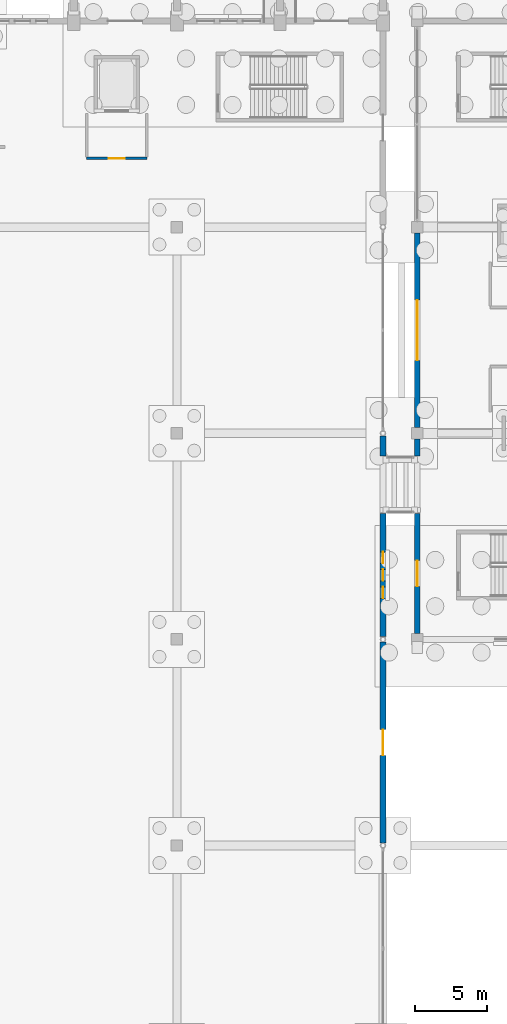
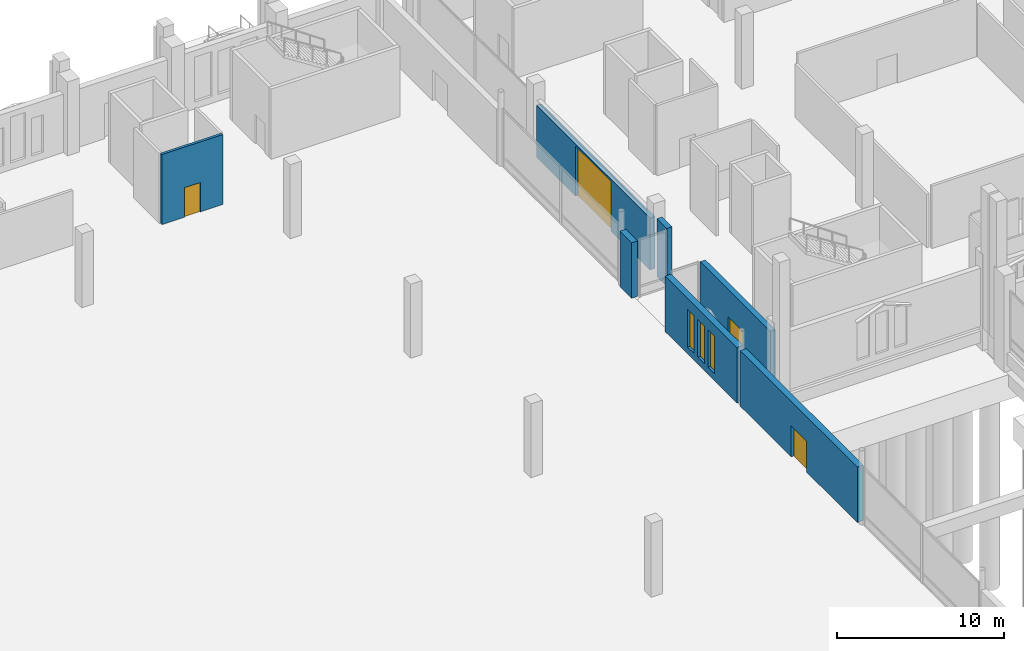
# One storey, part 137 of 192: 7 walls, 4 doors, 3 windows, 7 openings.
"""IFC4 building model written with IfcOpenShell, lengths in metres."""

from ifc_helpers import new_model, si_unit, direction, frame, frame_2d, origin, place, context, subcontext, project, spatial, rectangle, extrude, material, layer, layer_set, type_object, element, fill, save


model = new_model("IFC4")

# Units and contexts
model_context = context("Model", 3, precision=1e-05, world=origin(), true_north=direction((0.0, 1.0)))
body_context = subcontext(model_context, "Body", "Model", "MODEL_VIEW")
ifc_project = project(units=[si_unit("LENGTHUNIT", "METRE"), si_unit("AREAUNIT", "SQUARE_METRE"), si_unit("VOLUMEUNIT", "CUBIC_METRE"), si_unit("PLANEANGLEUNIT", "RADIAN"), si_unit("MASSUNIT", "GRAM", prefix="KILO")], contexts=[model_context])

# Site, building, storey
site_placement = place(None, origin())
site = spatial("IfcSite", under=ifc_project, at=site_placement, CompositionType="ELEMENT")
building_placement = place(site_placement, origin())
building = spatial("IfcBuilding", under=site, at=building_placement, Name="Cendralis Lancet Convention Centre", CompositionType="ELEMENT")
storey_placement = place(building_placement, origin())
storey = spatial("IfcBuildingStorey", under=building, at=storey_placement, Name="L00", CompositionType="ELEMENT", Elevation=0.0)

# Wall, opening, door
ifc_material_1 = material(Name="Buff sandstone ashlar and Concrete G40 (C40/50)", Category="masonry")
ifc_layer_1 = layer(ifc_material_1, 0.360107421875, Name="Buff sandstone ashlar and Concrete G40 (C40/50)")
ifc_layer_set_1 = layer_set([ifc_layer_1], Name="Buff sandstone ashlar and Concrete G40 (C40/50)")
wall_type_1 = type_object("IfcWallType", Name="ARC-EW-W360", PredefinedType="STANDARD", material=ifc_layer_set_1)
wall_1_placement = place(storey_placement, frame((124.800048828125, 94.008056640625, 0.0), z_axis=(0.0, 0.0, 1.0), x_axis=(0.0, 1.0, 0.0)))
wall_1 = element("IfcWall", 1, at=wall_1_placement, inside=storey, type_object=wall_type_1, Name="L00 V3 Exterior Wall EW-04 #0140", PredefinedType="STANDARD", context=body_context, shape_type="SweptSolid", body=[
    extrude(rectangle(XDim=8.391845703125, YDim=0.360107421875, at=frame_2d((4.19580078125, 0.0))), origin(), (0.0, 0.0, 1.0), 4.2548828125),
])
opening_1_placement = place(wall_1_placement, frame((3.2958984375, 0.0, 0.0)))
opening_1 = element("IfcOpeningElement", 2, at=opening_1_placement, cuts=wall_1, Name="Opening EX-D1", PredefinedType="OPENING", context=body_context, shape_type="SweptSolid", body=[
    extrude(rectangle(XDim=1.800048828125, YDim=2.25, at=frame_2d((0.89990234375, 1.125))), frame((0.0, 0.18994140625, 0.0), z_axis=(0.0, -1.0, 0.0), x_axis=(1.0, 0.0, 0.0)), (0.0, 0.0, 1.0), 0.380126953125),
])
ifc_material_2 = material(Name="Anodised bronze architectural aluminium", Category="aluminium")
door_type_1 = type_object("IfcDoorType", Name="ARC-DR-EX18", OperationType="NOTDEFINED", PredefinedType="DOOR", material=ifc_material_2)
door_1_placement = place(opening_1_placement, origin())
door_1 = element("IfcDoor", 3, at=door_1_placement, inside=storey, type_object=door_type_1, Name="L00-D039 Pedestrian Final Exit Door EX-39 #039", OperationType="DOUBLE_DOOR_SINGLE_SWING", OverallHeight=2.25, OverallWidth=1.800048828125, PredefinedType="DOOR", context=body_context, shape_type="SweptSolid", body=[
    extrude(rectangle(XDim=1.800048828125, YDim=2.25, at=frame_2d((0.89990234375, 1.125))), frame((0.0, 0.02490234375, 0.0), z_axis=(0.0, -1.0, 0.0), x_axis=(1.0, 0.0, 0.0)), (0.0, 0.0, 1.0), 0.050048828125),
])
fill(opening_1, door_1)

# Wall
wall_2_placement = place(storey_placement, frame((124.800048828125, 106.39990234375, 0.0), z_axis=(0.0, 0.0, 1.0), x_axis=(0.0, 1.0, 0.0)))
element("IfcWall", 4, at=wall_2_placement, inside=storey, type_object=wall_type_1, Name="L00 V3 Exterior Wall EW-04 #0141", PredefinedType="STANDARD", context=body_context, shape_type="SweptSolid", body=[
    extrude(rectangle(XDim=1.192138671875, YDim=0.360107421875, at=frame_2d((0.59619140625, 0.0))), origin(), (0.0, 0.0, 1.0), 4.2548828125),
])

# Wall, opening, door
wall_3_placement = place(storey_placement, frame((124.800048828125, 108.407958984375, 0.0), z_axis=(0.0, 0.0, 1.0), x_axis=(0.0, 1.0, 0.0)))
wall_3 = element("IfcWall", 5, at=wall_3_placement, inside=storey, type_object=wall_type_1, Name="L00 V3 Exterior Wall EW-04 #0142", PredefinedType="STANDARD", context=body_context, shape_type="SweptSolid", body=[
    extrude(rectangle(XDim=13.583984375, YDim=0.360107421875, at=frame_2d((6.7919921875, 0.0))), origin(), (0.0, 0.0, 1.0), 3.784912109375),
])
opening_2_placement = place(wall_3_placement, frame((4.69189453125, 0.0, 0.0)))
opening_2 = element("IfcOpeningElement", 6, at=opening_2_placement, cuts=wall_3, Name="Opening SH-42", PredefinedType="OPENING", context=body_context, shape_type="SweptSolid", body=[
    extrude(rectangle(XDim=4.199951171875, YDim=3.64990234375, at=frame_2d((2.10009765625, 1.824951171875))), frame((0.0, 0.18994140625, 0.0), z_axis=(0.0, -1.0, 0.0), x_axis=(1.0, 0.0, 0.0)), (0.0, 0.0, 1.0), 0.380126953125),
])
ifc_material_3 = material(Name="Steel S355", Category="steel")
door_type_2 = type_object("IfcDoorType", Name="ARC-DR-SH42", OperationType="ROLLINGUP", PredefinedType="USERDEFINED", material=ifc_material_3)
door_2_placement = place(opening_2_placement, origin())
door_2 = element("IfcDoor", 7, at=door_2_placement, inside=storey, type_object=door_type_2, Name="L00-D040 Service Shutter #040", ObjectType="SHUTTER", OperationType="ROLLINGUP", OverallHeight=3.64990234375, OverallWidth=4.199951171875, PredefinedType="USERDEFINED", context=body_context, shape_type="SweptSolid", body=[
    extrude(rectangle(XDim=4.199951171875, YDim=3.64990234375, at=frame_2d((2.10009765625, 1.824951171875))), frame((0.0, 0.02490234375, 0.0), z_axis=(0.0, -1.0, 0.0), x_axis=(1.0, 0.0, 0.0)), (0.0, 0.0, 1.0), 0.050048828125),
])
fill(opening_2, door_2)

ifc_layer_2 = layer(ifc_material_1, 0.419921875, Name="Buff sandstone ashlar and Concrete G40 (C40/50)")
ifc_layer_set_2 = layer_set([ifc_layer_2], Name="Buff sandstone ashlar and Concrete G40 (C40/50)")
wall_type_2 = type_object("IfcWallType", Name="ARC-EW-W420", PredefinedType="STANDARD", material=ifc_layer_set_2)
wall_4_placement = place(storey_placement, frame((122.39990234375, 93.414306640625, 0.0), z_axis=(0.0, 0.0, 1.0), x_axis=(0.0, -1.0, 0.0)))
wall_4 = element("IfcWall", 8, at=wall_4_placement, inside=storey, type_object=wall_type_2, Name="L00 V1 Exterior Wall EW-01 #0033", PredefinedType="STANDARD", context=body_context, shape_type="SweptSolid", body=[
    extrude(rectangle(XDim=14.028564453125, YDim=0.419921875, at=frame_2d((7.01416015625, 0.0))), origin(), (0.0, 0.0, 1.0), 4.054931640625),
])
opening_3_placement = place(wall_4_placement, frame((6.1142578125, 0.0, 0.0)))
opening_3 = element("IfcOpeningElement", 9, at=opening_3_placement, cuts=wall_4, Name="Opening EX-D1", PredefinedType="OPENING", context=body_context, shape_type="SweptSolid", body=[
    extrude(rectangle(XDim=1.800048828125, YDim=2.25, at=frame_2d((0.89990234375, 1.125))), frame((0.0, 0.219970703125, 0.0), z_axis=(0.0, -1.0, 0.0), x_axis=(1.0, 0.0, 0.0)), (0.0, 0.0, 1.0), 0.43994140625),
])
door_3_placement = place(opening_3_placement, origin())
door_3 = element("IfcDoor", 10, at=door_3_placement, inside=storey, type_object=door_type_1, Name="L00-D025 Pedestrian Final Exit Door EX-25 #025", OperationType="DOUBLE_DOOR_SINGLE_SWING", OverallHeight=2.25, OverallWidth=1.800048828125, PredefinedType="DOOR", context=body_context, shape_type="SweptSolid", body=[
    extrude(rectangle(XDim=1.800048828125, YDim=2.25, at=frame_2d((0.89990234375, 1.125))), frame((0.0, 0.02490234375, 0.0), z_axis=(0.0, -1.0, 0.0), x_axis=(1.0, 0.0, 0.0)), (0.0, 0.0, 1.0), 0.050048828125),
])
fill(opening_3, door_3)

# Wall
wall_5_placement = place(storey_placement, frame((122.39990234375, 107.814208984375, 0.0), z_axis=(0.0, 0.0, 1.0), x_axis=(0.0, -1.0, 0.0)))
element("IfcWall", 11, at=wall_5_placement, inside=storey, type_object=wall_type_2, Name="L00 V1 Exterior Wall EW-01 #0034", PredefinedType="STANDARD", context=body_context, shape_type="SweptSolid", body=[
    extrude(rectangle(XDim=1.414306640625, YDim=0.419921875, at=frame_2d((0.70703125, 0.0))), origin(), (0.0, 0.0, 1.0), 4.054931640625),
])

# Wall, openings, windows
wall_6_placement = place(storey_placement, frame((122.39990234375, 102.39990234375, 0.0), z_axis=(0.0, 0.0, 1.0), x_axis=(0.0, -1.0, 0.0)))
wall_6 = element("IfcWall", 12, at=wall_6_placement, inside=storey, type_object=wall_type_2, Name="L00 V1 Exterior Wall EW-01 #0035", PredefinedType="STANDARD", context=body_context, shape_type="SweptSolid", body=[
    extrude(rectangle(XDim=8.614013671875, YDim=0.419921875, at=frame_2d((4.30712890625, 0.0))), origin(), (0.0, 0.0, 1.0), 4.054931640625),
])
opening_4_placement = place(wall_6_placement, frame((2.68701171875, 0.0, 0.5)))
opening_4 = element("IfcOpeningElement", 13, at=opening_4_placement, cuts=wall_6, Name="Opening WN-07", PredefinedType="OPENING", context=body_context, shape_type="SweptSolid", body=[
    extrude(rectangle(XDim=0.800048828125, YDim=2.75, at=frame_2d((0.39990234375, 1.375))), frame((0.0, 0.219970703125, 0.0), z_axis=(0.0, -1.0, 0.0), x_axis=(1.0, 0.0, 0.0)), (0.0, 0.0, 1.0), 0.43994140625),
])
opening_5_placement = place(wall_6_placement, frame((3.906982421875, 0.0, 0.5)))
opening_5 = element("IfcOpeningElement", 14, at=opening_5_placement, cuts=wall_6, Name="Opening WN-07", PredefinedType="OPENING", context=body_context, shape_type="SweptSolid", body=[
    extrude(rectangle(XDim=0.800048828125, YDim=2.75, at=frame_2d((0.39990234375, 1.375))), frame((0.0, 0.219970703125, 0.0), z_axis=(0.0, -1.0, 0.0), x_axis=(1.0, 0.0, 0.0)), (0.0, 0.0, 1.0), 0.43994140625),
])
opening_6_placement = place(wall_6_placement, frame((5.127197265625, 0.0, 0.5)))
opening_6 = element("IfcOpeningElement", 15, at=opening_6_placement, cuts=wall_6, Name="Opening WN-07", PredefinedType="OPENING", context=body_context, shape_type="SweptSolid", body=[
    extrude(rectangle(XDim=0.800048828125, YDim=2.75, at=frame_2d((0.39990234375, 1.375))), frame((0.0, 0.219970703125, 0.0), z_axis=(0.0, -1.0, 0.0), x_axis=(1.0, 0.0, 0.0)), (0.0, 0.0, 1.0), 0.43994140625),
])
ifc_material_4 = material(Name="Double-glazed low-E solar-control glass", Category="glass")
window_type = type_object("IfcWindowType", Name="ARC-WN-LW07", PartitioningType="SINGLE_PANEL", PredefinedType="WINDOW", material=ifc_material_4)
window_1_placement = place(opening_4_placement, origin())
window_1 = element("IfcWindow", 16, at=window_1_placement, inside=storey, type_object=window_type, Name="Gothic Lancet Window WN-07 #0028", OverallHeight=2.75, OverallWidth=0.800048828125, PartitioningType="SINGLE_PANEL", PredefinedType="WINDOW", context=body_context, shape_type="SweptSolid", body=[
    extrude(rectangle(XDim=0.800048828125, YDim=2.75, at=frame_2d((0.39990234375, 1.375))), frame((0.0, 0.030029296875, 0.0), z_axis=(0.0, -1.0, 0.0), x_axis=(1.0, 0.0, 0.0)), (0.0, 0.0, 1.0), 0.06005859375),
])
fill(opening_4, window_1)
window_2_placement = place(opening_5_placement, origin())
window_2 = element("IfcWindow", 17, at=window_2_placement, inside=storey, type_object=window_type, Name="Gothic Lancet Window WN-07 #0029", OverallHeight=2.75, OverallWidth=0.800048828125, PartitioningType="SINGLE_PANEL", PredefinedType="WINDOW", context=body_context, shape_type="SweptSolid", body=[
    extrude(rectangle(XDim=0.800048828125, YDim=2.75, at=frame_2d((0.39990234375, 1.375))), frame((0.0, 0.030029296875, 0.0), z_axis=(0.0, -1.0, 0.0), x_axis=(1.0, 0.0, 0.0)), (0.0, 0.0, 1.0), 0.06005859375),
])
fill(opening_5, window_2)
window_3_placement = place(opening_6_placement, origin())
window_3 = element("IfcWindow", 18, at=window_3_placement, inside=storey, type_object=window_type, Name="Gothic Lancet Window WN-07 #0030", OverallHeight=2.75, OverallWidth=0.800048828125, PartitioningType="SINGLE_PANEL", PredefinedType="WINDOW", context=body_context, shape_type="SweptSolid", body=[
    extrude(rectangle(XDim=0.800048828125, YDim=2.75, at=frame_2d((0.39990234375, 1.375))), frame((0.0, 0.030029296875, 0.0), z_axis=(0.0, -1.0, 0.0), x_axis=(1.0, 0.0, 0.0)), (0.0, 0.0, 1.0), 0.06005859375),
])
fill(opening_6, window_3)

# Wall, opening, door
ifc_material_5 = material(Name="Acoustic fire-rated gypsum board on steel studs", Category="steel")
ifc_layer_3 = layer(ifc_material_5, 0.179931640625, Name="Acoustic fire-rated gypsum board on steel studs")
ifc_layer_set_3 = layer_set([ifc_layer_3], Name="Acoustic fire-rated gypsum board on steel studs")
wall_type_3 = type_object("IfcWallType", Name="ARC-IW-P180", PredefinedType="PARTITIONING", material=ifc_layer_set_3)
wall_7_placement = place(storey_placement, frame((105.89990234375, 127.199951171875, 0.0), z_axis=(0.0, 0.0, 1.0), x_axis=(-1.0, 0.0, 0.0)))
wall_7 = element("IfcWall", 19, at=wall_7_placement, inside=storey, type_object=wall_type_3, Name="L00 Lift Lobby LG-01 Front Wall", PredefinedType="PARTITIONING", context=body_context, shape_type="SweptSolid", body=[
    extrude(rectangle(XDim=4.199951171875, YDim=0.179931640625, at=frame_2d((2.10009765625, 0.0))), origin(), (0.0, 0.0, 1.0), 5.1201171875),
])
opening_7_placement = place(wall_7_placement, frame((1.550048828125, 0.0, 0.0)))
opening_7 = element("IfcOpeningElement", 20, at=opening_7_placement, cuts=wall_7, Name="Opening FD-11", PredefinedType="OPENING", context=body_context, shape_type="SweptSolid", body=[
    extrude(rectangle(XDim=1.10009765625, YDim=2.14990234375, at=frame_2d((0.550048828125, 1.074951171875))), frame((0.0, 0.099853515625, 0.0), z_axis=(0.0, -1.0, 0.0), x_axis=(1.0, 0.0, 0.0)), (0.0, 0.0, 1.0), 0.199951171875),
])
door_type_3 = type_object("IfcDoorType", Name="ARC-DR-FF11", OperationType="NOTDEFINED", PredefinedType="DOOR", material=ifc_material_3)
door_4_placement = place(opening_7_placement, origin())
door_4 = element("IfcDoor", 21, at=door_4_placement, inside=storey, type_object=door_type_3, Name="L00-D106 L00 Lift Lobby LG-01 Fire Door", OperationType="SINGLE_SWING_RIGHT", OverallHeight=2.14990234375, OverallWidth=1.10009765625, PredefinedType="DOOR", context=body_context, shape_type="SweptSolid", body=[
    extrude(rectangle(XDim=1.10009765625, YDim=2.14990234375, at=frame_2d((0.550048828125, 1.074951171875))), frame((0.0, 0.02490234375, 0.0), z_axis=(0.0, -1.0, 0.0), x_axis=(1.0, 0.0, 0.0)), (0.0, 0.0, 1.0), 0.050048828125),
])
fill(opening_7, door_4)

save(model, "model.ifc")
